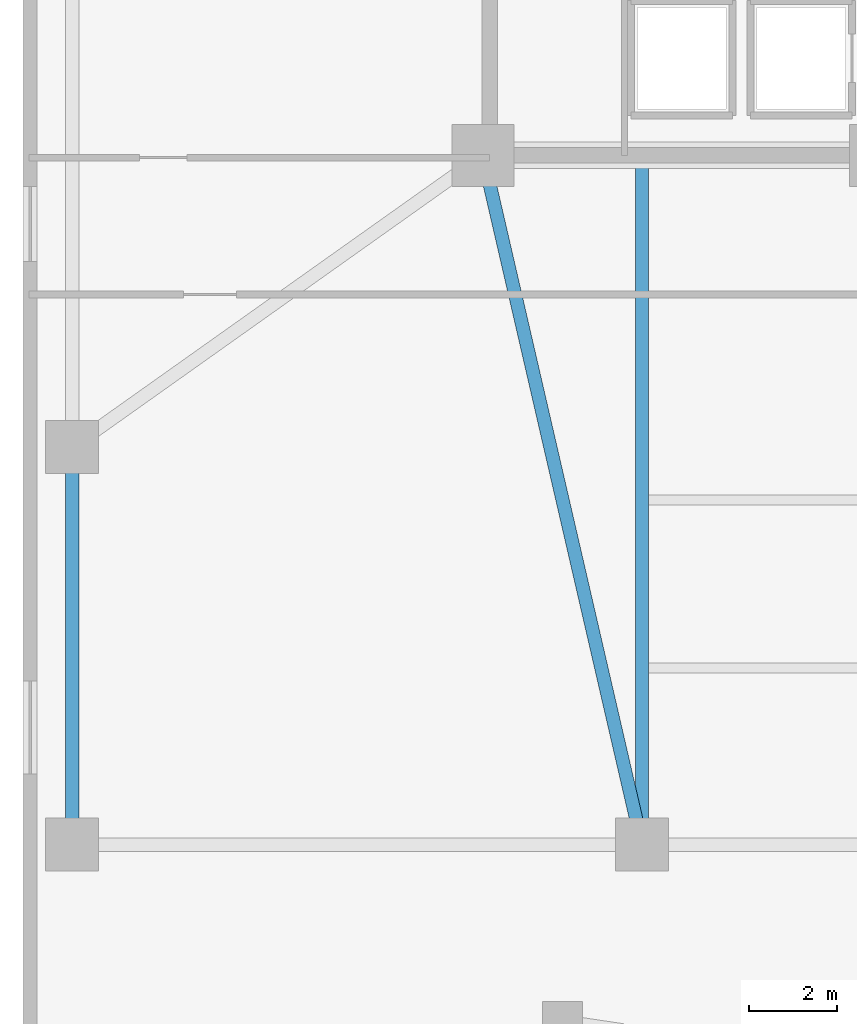
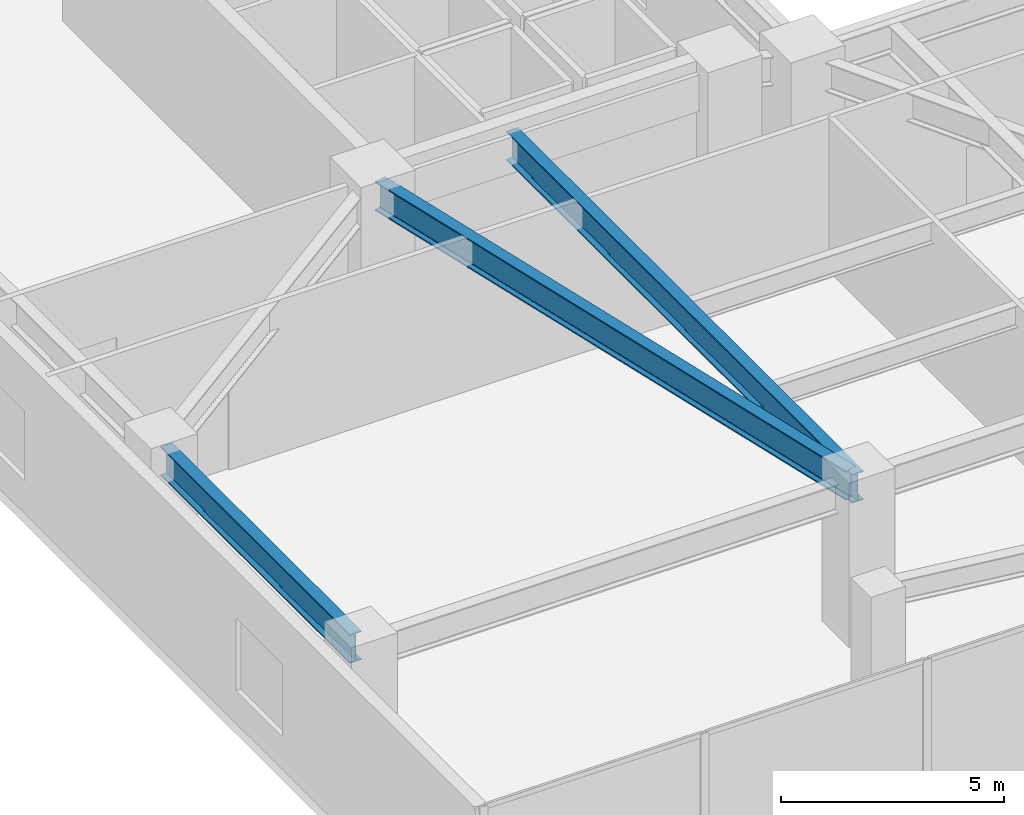
# One storey, part 3 of 27: 3 beams.
"""IFC4 building model written with IfcOpenShell, lengths in metres."""

from ifc_helpers import new_model, si_unit, direction, frame, origin, origin_2d, place, context, subcontext, project, spatial, i_section, extrude, material, material_profile, profile_set, type_object, element, save


model = new_model("IFC4")

# Units and contexts
model_context = context("Model", 3, precision=1e-05, world=origin(), true_north=direction((0.0, 1.0)))
body_context = subcontext(model_context, "Body", "Model", "MODEL_VIEW")
ifc_project = project(units=[si_unit("LENGTHUNIT", "METRE"), si_unit("AREAUNIT", "SQUARE_METRE"), si_unit("VOLUMEUNIT", "CUBIC_METRE"), si_unit("PLANEANGLEUNIT", "RADIAN"), si_unit("MASSUNIT", "GRAM", prefix="KILO")], contexts=[model_context])

# Site, building, storey
site_placement = place(None, origin())
site = spatial("IfcSite", under=ifc_project, at=site_placement, CompositionType="ELEMENT")
building_placement = place(site_placement, origin())
building = spatial("IfcBuilding", under=site, at=building_placement, Name="Tarnavaz Court Tower", CompositionType="ELEMENT")
storey_placement = place(building_placement, frame((0.0, 0.0, 9.89990234375)))
storey = spatial("IfcBuildingStorey", under=building, at=storey_placement, Name="L02", CompositionType="ELEMENT", Elevation=9.89990234375)

# Beams
ifc_material = material(Name="Steel S355", Category="steel")
ifc_material_profile = material_profile(ifc_material, i_section(OverallWidth=0.300048828125, OverallDepth=0.800048828125, WebThickness=0.017578125, FlangeThickness=0.032958984375, FilletRadius=0.030029296875, at=origin_2d()), Name="HEB 800")
ifc_profile_set = profile_set([ifc_material_profile], Name="Steel S355")
beam_type = type_object("IfcBeamType", Name="BM-G-HEB800", PredefinedType="USERDEFINED", material=ifc_profile_set)
beam_1_placement = place(storey_placement, frame((-27.89990234375, -22.550048828125, 3.800048828125), z_axis=(0.0, 1.0, 0.0), x_axis=(-1.0, 0.0, 0.0)))
element("IfcBeam", 1, at=beam_1_placement, inside=storey, type_object=beam_type, Name="L02 Beam PM-PM-SW-PM-W1", ObjectType="GIRDER", PredefinedType="USERDEFINED", context=body_context, shape_type="SweptSolid", body=[
    extrude(i_section(OverallWidth=0.300048828125, OverallDepth=0.800048828125, WebThickness=0.017578125, FlangeThickness=0.032958984375, FilletRadius=0.030029296875, at=origin_2d()), origin(), (0.0, 0.0, 1.0), 8.5),
])
beam_2_placement = place(storey_placement, frame((-18.543701171875, -7.443603515625, 3.800048828125), z_axis=(0.224858357084, -0.97439146099, 0.0), x_axis=(0.97439146099, 0.224858357084, 0.0)))
element("IfcBeam", 2, at=beam_2_placement, inside=storey, type_object=beam_type, Name="L02 Beam PM-CW-SO-PM-S1", ObjectType="GIRDER", PredefinedType="USERDEFINED", context=body_context, shape_type="SweptSolid", body=[
    extrude(i_section(OverallWidth=0.300048828125, OverallDepth=0.800048828125, WebThickness=0.017578125, FlangeThickness=0.032958984375, FilletRadius=0.030029296875, at=origin_2d()), origin(), (0.0, 0.0, 1.0), 15.510009765625),
])
beam_3_placement = place(storey_placement, frame((-15.0, -7.239990234375, 3.800048828125), z_axis=(0.0, -1.0, 0.0), x_axis=(1.0, 0.0, 0.0)))
element("IfcBeam", 3, at=beam_3_placement, inside=storey, type_object=beam_type, Name="L02 Beam PM-NS-SW", ObjectType="GIRDER", PredefinedType="USERDEFINED", context=body_context, shape_type="SweptSolid", body=[
    extrude(i_section(OverallWidth=0.300048828125, OverallDepth=0.800048828125, WebThickness=0.017578125, FlangeThickness=0.032958984375, FilletRadius=0.030029296875, at=origin_2d()), origin(), (0.0, 0.0, 1.0), 15.52001953125),
])

save(model, "model.ifc")
